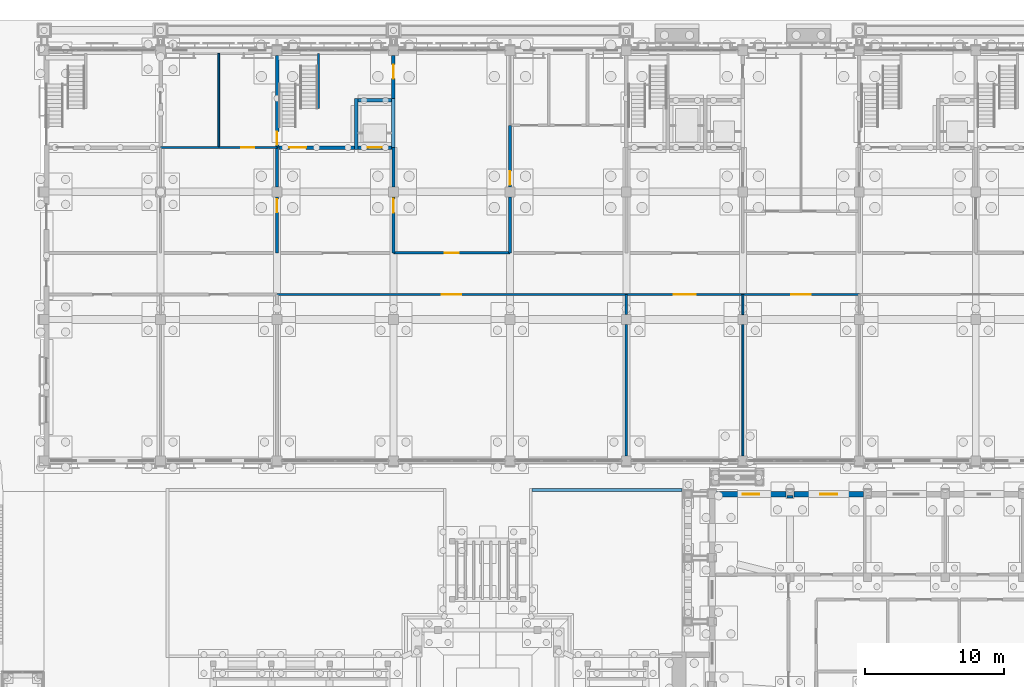
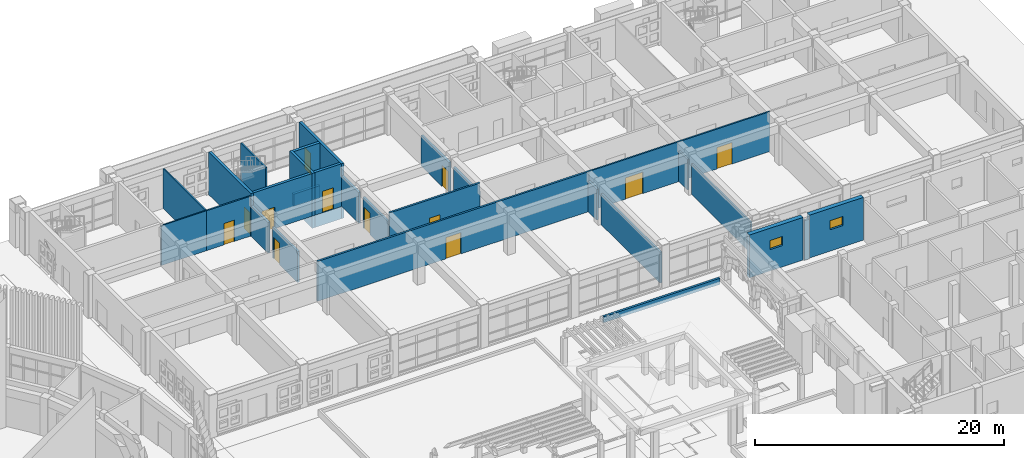
# One storey, part 72 of 112: 31 walls, 12 doors, 2 windows, 14 openings.
"""IFC4 building model written with IfcOpenShell, lengths in metres."""

from ifc_helpers import new_model, si_unit, direction, frame, frame_2d, origin, place, context, subcontext, project, spatial, rectangle, extrude, material, layer, layer_set, type_object, element, fill, save


model = new_model("IFC4")

# Units and contexts
model_context = context("Model", 3, precision=1e-05, world=origin(), true_north=direction((0.0, 1.0)))
body_context = subcontext(model_context, "Body", "Model", "MODEL_VIEW")
ifc_project = project(units=[si_unit("LENGTHUNIT", "METRE"), si_unit("AREAUNIT", "SQUARE_METRE"), si_unit("VOLUMEUNIT", "CUBIC_METRE"), si_unit("PLANEANGLEUNIT", "RADIAN"), si_unit("MASSUNIT", "GRAM", prefix="KILO")], contexts=[model_context])

# Site, building, storey
site_placement = place(None, origin())
site = spatial("IfcSite", under=ifc_project, at=site_placement, CompositionType="ELEMENT")
building_placement = place(site_placement, origin())
building = spatial("IfcBuilding", under=site, at=building_placement, Name="Wasatch Bagh Community Centre", CompositionType="ELEMENT")
storey_placement = place(building_placement, origin())
storey = spatial("IfcBuildingStorey", under=building, at=storey_placement, Name="L00", CompositionType="ELEMENT", Elevation=0.0)

# Wall, opening, door
ifc_material_1 = material(Name="Concrete C40", Category="concrete")
ifc_layer_1 = layer(ifc_material_1, 0.25)
ifc_layer_set_1 = layer_set([ifc_layer_1], Name="Concrete C40")
wall_type_1 = type_object("IfcWallType", Name="LW core wall 250", PredefinedType="SHEAR", material=ifc_layer_set_1)
wall_1_placement = place(storey_placement, frame((80.925048828125, 90.800048828125, 0.0), z_axis=(0.0, 0.0, 1.0), x_axis=(1.0, 0.0, 0.0)))
wall_1 = element("IfcWall", 1, at=wall_1_placement, inside=storey, type_object=wall_type_1, Name="LW.swall.L00.02", PredefinedType="SHEAR", context=body_context, shape_type="SweptSolid", body=[
    extrude(rectangle(XDim=5.449951171875, YDim=0.25, at=frame_2d((2.72509765625, 0.0))), origin(), (0.0, 0.0, 1.0), 4.199951171875),
])
opening_1_placement = place(wall_1_placement, frame((0.77490234375, 0.0, 0.0)))
opening_1 = element("IfcOpeningElement", 2, at=opening_1_placement, cuts=wall_1, Name="Opening 0L-46", PredefinedType="OPENING", context=body_context, shape_type="SweptSolid", body=[
    extrude(rectangle(XDim=1.199951171875, YDim=2.10009765625, at=frame_2d((0.60009765625, 1.050048828125))), frame((0.0, 0.135009765625, 0.0), z_axis=(0.0, -1.0, 0.0), x_axis=(1.0, 0.0, 0.0)), (0.0, 0.0, 1.0), 0.27001953125),
])
ifc_material_2 = material(Name="Painted timber", Category="wood")
door_type_1 = type_object("IfcDoorType", Name="LW stair door 1200x2100", OperationType="SINGLE_SWING_LEFT", PredefinedType="DOOR", material=ifc_material_2)
door_1_placement = place(opening_1_placement, origin())
door_1 = element("IfcDoor", 3, at=door_1_placement, inside=storey, type_object=door_type_1, Name="Stair door 0L-46", OperationType="SINGLE_SWING_RIGHT", OverallHeight=2.10009765625, OverallWidth=1.199951171875, PredefinedType="DOOR", context=body_context, shape_type="SweptSolid", body=[
    extrude(rectangle(XDim=1.199951171875, YDim=2.10009765625, at=frame_2d((0.60009765625, 1.050048828125))), frame((0.0, 0.02490234375, 0.0), z_axis=(0.0, -1.0, 0.0), x_axis=(1.0, 0.0, 0.0)), (0.0, 0.0, 1.0), 0.050048828125),
])
fill(opening_1, door_1)

wall_2_placement = place(storey_placement, frame((86.625, 90.800048828125, 0.0), z_axis=(0.0, 0.0, 1.0), x_axis=(1.0, 0.0, 0.0)))
wall_2 = element("IfcWall", 4, at=wall_2_placement, inside=storey, type_object=wall_type_1, Name="LW.swall.L00.03", PredefinedType="SHEAR", context=body_context, shape_type="SweptSolid", body=[
    extrude(rectangle(XDim=2.449951171875, YDim=0.25, at=frame_2d((1.22509765625, 0.0))), origin(), (0.0, 0.0, 1.0), 4.199951171875),
])
opening_2_placement = place(wall_2_placement, frame((0.72509765625, 0.0, 0.0)))
opening_2 = element("IfcOpeningElement", 5, at=opening_2_placement, cuts=wall_2, Name="Opening 0L-47", PredefinedType="OPENING", context=body_context, shape_type="SweptSolid", body=[
    extrude(rectangle(XDim=1.0, YDim=2.10009765625, at=frame_2d((0.5, 1.050048828125))), frame((0.0, 0.135009765625, 0.0), z_axis=(0.0, -1.0, 0.0), x_axis=(1.0, 0.0, 0.0)), (0.0, 0.0, 1.0), 0.27001953125),
])
ifc_material_3 = material(Name="Stainless steel landing door", Category="steel")
door_type_2 = type_object("IfcDoorType", Name="Lift landing door 1000 x 2100", OperationType="SLIDING_TO_LEFT", PredefinedType="DOOR", material=ifc_material_3)
door_2_placement = place(opening_2_placement, origin())
door_2 = element("IfcDoor", 6, at=door_2_placement, inside=storey, type_object=door_type_2, Name="Lift landing door LD 0L-47", OperationType="SLIDING_TO_LEFT", OverallHeight=2.10009765625, OverallWidth=1.0, PredefinedType="DOOR", context=body_context, shape_type="SweptSolid", body=[
    extrude(rectangle(XDim=1.0, YDim=2.10009765625, at=frame_2d((0.5, 1.050048828125))), frame((0.0, 0.02490234375, 0.0), z_axis=(0.0, -1.0, 0.0), x_axis=(1.0, 0.0, 0.0)), (0.0, 0.0, 1.0), 0.050048828125),
])
fill(opening_2, door_2)

# Wall
wall_3_placement = place(storey_placement, frame((86.625, 94.199951171875, 0.0), z_axis=(0.0, 0.0, 1.0), x_axis=(1.0, 0.0, 0.0)))
element("IfcWall", 7, at=wall_3_placement, inside=storey, type_object=wall_type_1, Name="LW.swall.L00.10", PredefinedType="SHEAR", context=body_context, shape_type="SweptSolid", body=[
    extrude(rectangle(XDim=2.449951171875, YDim=0.25, at=frame_2d((1.22509765625, 0.0))), origin(), (0.0, 0.0, 1.0), 4.199951171875),
])

# Wall, opening, door
wall_4_placement = place(storey_placement, frame((80.800048828125, 90.675048828125, 0.0), z_axis=(0.0, 0.0, 1.0), x_axis=(0.0, 1.0, 0.0)))
wall_4 = element("IfcWall", 8, at=wall_4_placement, inside=storey, type_object=wall_type_1, Name="LW.swall.L00.18", PredefinedType="SHEAR", context=body_context, shape_type="SweptSolid", body=[
    extrude(rectangle(XDim=6.77490234375, YDim=0.25, at=frame_2d((3.387451171875, 0.0))), origin(), (0.0, 0.0, 1.0), 4.199951171875),
])
opening_3_placement = place(wall_4_placement, frame((0.324951171875, 0.0, 0.0)))
opening_3 = element("IfcOpeningElement", 9, at=opening_3_placement, cuts=wall_4, Name="Opening 0L-23", PredefinedType="OPENING", context=body_context, shape_type="SweptSolid", body=[
    extrude(rectangle(XDim=0.949951171875, YDim=2.10009765625, at=frame_2d((0.47509765625, 1.050048828125))), frame((0.0, 0.135009765625, 0.0), z_axis=(0.0, -1.0, 0.0), x_axis=(1.0, 0.0, 0.0)), (0.0, 0.0, 1.0), 0.27001953125),
])
door_type_3 = type_object("IfcDoorType", Name="LW nursery door 950x2100", OperationType="SINGLE_SWING_LEFT", PredefinedType="DOOR", material=ifc_material_2)
door_3_placement = place(opening_3_placement, origin())
door_3 = element("IfcDoor", 10, at=door_3_placement, inside=storey, type_object=door_type_3, Name="Door Nursery Kitchen and Staff Room 0L-23", OperationType="SINGLE_SWING_LEFT", OverallHeight=2.10009765625, OverallWidth=0.949951171875, PredefinedType="DOOR", context=body_context, shape_type="SweptSolid", body=[
    extrude(rectangle(XDim=0.949951171875, YDim=2.10009765625, at=frame_2d((0.47509765625, 1.050048828125))), frame((0.0, 0.02490234375, 0.0), z_axis=(0.0, -1.0, 0.0), x_axis=(1.0, 0.0, 0.0)), (0.0, 0.0, 1.0), 0.050048828125),
])
fill(opening_3, door_3)

# Wall
wall_5_placement = place(storey_placement, frame((86.5, 90.675048828125, 0.0), z_axis=(0.0, 0.0, 1.0), x_axis=(0.0, 1.0, 0.0)))
element("IfcWall", 11, at=wall_5_placement, inside=storey, type_object=wall_type_1, Name="LW.swall.L00.19", PredefinedType="SHEAR", context=body_context, shape_type="SweptSolid", body=[
    extrude(rectangle(XDim=3.64990234375, YDim=0.25, at=frame_2d((1.824951171875, 0.0))), origin(), (0.0, 0.0, 1.0), 4.199951171875),
])

# Wall, opening, door
wall_6_placement = place(storey_placement, frame((89.199951171875, 90.675048828125, 0.0), z_axis=(0.0, 0.0, 1.0), x_axis=(0.0, 1.0, 0.0)))
wall_6 = element("IfcWall", 12, at=wall_6_placement, inside=storey, type_object=wall_type_1, Name="LW.swall.L00.20", PredefinedType="SHEAR", context=body_context, shape_type="SweptSolid", body=[
    extrude(rectangle(XDim=6.77490234375, YDim=0.25, at=frame_2d((3.387451171875, 0.0))), origin(), (0.0, 0.0, 1.0), 4.199951171875),
])
opening_4_placement = place(wall_6_placement, frame((5.10009765625, 0.0, 0.0)))
opening_4 = element("IfcOpeningElement", 13, at=opening_4_placement, cuts=wall_6, Name="Opening 0L-26", PredefinedType="OPENING", context=body_context, shape_type="SweptSolid", body=[
    extrude(rectangle(XDim=1.0, YDim=2.10009765625, at=frame_2d((0.5, 1.050048828125))), frame((0.0, 0.135009765625, 0.0), z_axis=(0.0, -1.0, 0.0), x_axis=(1.0, 0.0, 0.0)), (0.0, 0.0, 1.0), 0.27001953125),
])
door_type_4 = type_object("IfcDoorType", Name="LW door 1000x2100", OperationType="SINGLE_SWING_LEFT", PredefinedType="DOOR", material=ifc_material_2)
door_4_placement = place(opening_4_placement, origin())
door_4 = element("IfcDoor", 14, at=door_4_placement, inside=storey, type_object=door_type_4, Name="Door Children's Library 0L-26", OperationType="SINGLE_SWING_RIGHT", OverallHeight=2.10009765625, OverallWidth=1.0, PredefinedType="DOOR", context=body_context, shape_type="SweptSolid", body=[
    extrude(rectangle(XDim=1.0, YDim=2.10009765625, at=frame_2d((0.5, 1.050048828125))), frame((0.0, 0.02490234375, 0.0), z_axis=(0.0, -1.0, 0.0), x_axis=(1.0, 0.0, 0.0)), (0.0, 0.0, 1.0), 0.050048828125),
])
fill(opening_4, door_4)

ifc_material_4 = material(Name="Blockwork fire partition", Category="masonry")
ifc_layer_2 = layer(ifc_material_4, 0.199951171875)
ifc_layer_set_2 = layer_set([ifc_layer_2], Name="Blockwork fire partition")
wall_type_2 = type_object("IfcWallType", Name="LW fire partition 200", PredefinedType="PARTITIONING", material=ifc_layer_set_2)
wall_7_placement = place(storey_placement, frame((80.800048828125, 83.199951171875, 0.0), z_axis=(0.0, 0.0, 1.0), x_axis=(0.0, 1.0, 0.0)))
wall_7 = element("IfcWall", 15, at=wall_7_placement, inside=storey, type_object=wall_type_2, Name="LW.part.L00.020", PredefinedType="PARTITIONING", context=body_context, shape_type="SweptSolid", body=[
    extrude(rectangle(XDim=4.050048828125, YDim=0.199951171875, at=frame_2d((2.02490234375, 0.0))), origin(), (0.0, 0.0, 1.0), 3.02001953125),
])
opening_5_placement = place(wall_7_placement, frame((2.925048828125, 0.0, 0.0)))
opening_5 = element("IfcOpeningElement", 16, at=opening_5_placement, cuts=wall_7, Name="Opening 0L-20", PredefinedType="OPENING", context=body_context, shape_type="SweptSolid", body=[
    extrude(rectangle(XDim=0.949951171875, YDim=2.10009765625, at=frame_2d((0.47509765625, 1.050048828125))), frame((0.0, 0.10986328125, 0.0), z_axis=(0.0, -1.0, 0.0), x_axis=(1.0, 0.0, 0.0)), (0.0, 0.0, 1.0), 0.219970703125),
])
door_5_placement = place(opening_5_placement, origin())
door_5 = element("IfcDoor", 17, at=door_5_placement, inside=storey, type_object=door_type_3, Name="Door Nursery Sleep Room 0L-20", OperationType="SINGLE_SWING_RIGHT", OverallHeight=2.10009765625, OverallWidth=0.949951171875, PredefinedType="DOOR", context=body_context, shape_type="SweptSolid", body=[
    extrude(rectangle(XDim=0.949951171875, YDim=2.10009765625, at=frame_2d((0.47509765625, 1.050048828125))), frame((0.0, 0.02490234375, 0.0), z_axis=(0.0, -1.0, 0.0), x_axis=(1.0, 0.0, 0.0)), (0.0, 0.0, 1.0), 0.050048828125),
])
fill(opening_5, door_5)

# Wall
wall_8_placement = place(storey_placement, frame((80.800048828125, 87.949951171875, 0.0), z_axis=(0.0, 0.0, 1.0), x_axis=(0.0, 1.0, 0.0)))
element("IfcWall", 18, at=wall_8_placement, inside=storey, type_object=wall_type_2, Name="LW.part.L00.021", PredefinedType="PARTITIONING", context=body_context, shape_type="SweptSolid", body=[
    extrude(rectangle(XDim=2.85009765625, YDim=0.199951171875, at=frame_2d((1.425048828125, 0.0))), origin(), (0.0, 0.0, 1.0), 3.02001953125),
])

# Wall, opening, door
wall_9_placement = place(storey_placement, frame((89.199951171875, 83.199951171875, 0.0), z_axis=(0.0, 0.0, 1.0), x_axis=(0.0, 1.0, 0.0)))
wall_9 = element("IfcWall", 19, at=wall_9_placement, inside=storey, type_object=wall_type_2, Name="LW.part.L00.022", PredefinedType="PARTITIONING", context=body_context, shape_type="SweptSolid", body=[
    extrude(rectangle(XDim=4.050048828125, YDim=0.199951171875, at=frame_2d((2.02490234375, 0.0))), origin(), (0.0, 0.0, 1.0), 3.02001953125),
])
opening_6_placement = place(wall_9_placement, frame((2.89990234375, 0.0, 0.0)))
opening_6 = element("IfcOpeningElement", 20, at=opening_6_placement, cuts=wall_9, Name="Opening 0L-25", PredefinedType="OPENING", context=body_context, shape_type="SweptSolid", body=[
    extrude(rectangle(XDim=1.0, YDim=2.10009765625, at=frame_2d((0.5, 1.050048828125))), frame((0.0, 0.10986328125, 0.0), z_axis=(0.0, -1.0, 0.0), x_axis=(1.0, 0.0, 0.0)), (0.0, 0.0, 1.0), 0.219970703125),
])
door_6_placement = place(opening_6_placement, origin())
door_6 = element("IfcDoor", 21, at=door_6_placement, inside=storey, type_object=door_type_4, Name="Door Children's Library 0L-25", OperationType="SINGLE_SWING_LEFT", OverallHeight=2.10009765625, OverallWidth=1.0, PredefinedType="DOOR", context=body_context, shape_type="SweptSolid", body=[
    extrude(rectangle(XDim=1.0, YDim=2.10009765625, at=frame_2d((0.5, 1.050048828125))), frame((0.0, 0.02490234375, 0.0), z_axis=(0.0, -1.0, 0.0), x_axis=(1.0, 0.0, 0.0)), (0.0, 0.0, 1.0), 0.050048828125),
])
fill(opening_6, door_6)

# Walls
wall_10_placement = place(storey_placement, frame((89.199951171875, 87.949951171875, 0.0), z_axis=(0.0, 0.0, 1.0), x_axis=(0.0, 1.0, 0.0)))
element("IfcWall", 22, at=wall_10_placement, inside=storey, type_object=wall_type_2, Name="LW.part.L00.023", PredefinedType="PARTITIONING", context=body_context, shape_type="SweptSolid", body=[
    extrude(rectangle(XDim=2.85009765625, YDim=0.199951171875, at=frame_2d((1.425048828125, 0.0))), origin(), (0.0, 0.0, 1.0), 3.02001953125),
])
wall_11_placement = place(storey_placement, frame((97.60009765625, 83.199951171875, 0.0), z_axis=(0.0, 0.0, 1.0), x_axis=(0.0, 1.0, 0.0)))
element("IfcWall", 23, at=wall_11_placement, inside=storey, type_object=wall_type_2, Name="LW.part.L00.024", PredefinedType="PARTITIONING", context=body_context, shape_type="SweptSolid", body=[
    extrude(rectangle(XDim=4.050048828125, YDim=0.199951171875, at=frame_2d((2.02490234375, 0.0))), origin(), (0.0, 0.0, 1.0), 3.02001953125),
])

# Wall, opening, door
wall_12_placement = place(storey_placement, frame((97.60009765625, 87.949951171875, 0.0), z_axis=(0.0, 0.0, 1.0), x_axis=(0.0, 1.0, 0.0)))
wall_12 = element("IfcWall", 24, at=wall_12_placement, inside=storey, type_object=wall_type_2, Name="LW.part.L00.025", PredefinedType="PARTITIONING", context=body_context, shape_type="SweptSolid", body=[
    extrude(rectangle(XDim=4.449951171875, YDim=0.199951171875, at=frame_2d((2.22509765625, 0.0))), origin(), (0.0, 0.0, 1.0), 3.02001953125),
])
opening_7_placement = place(wall_12_placement, frame((0.14990234375, 0.0, 0.0)))
opening_7 = element("IfcOpeningElement", 25, at=opening_7_placement, cuts=wall_12, Name="Opening 0L-27", PredefinedType="OPENING", context=body_context, shape_type="SweptSolid", body=[
    extrude(rectangle(XDim=1.0, YDim=2.10009765625, at=frame_2d((0.5, 1.050048828125))), frame((0.0, 0.10986328125, 0.0), z_axis=(0.0, -1.0, 0.0), x_axis=(1.0, 0.0, 0.0)), (0.0, 0.0, 1.0), 0.219970703125),
])
door_7_placement = place(opening_7_placement, origin())
door_7 = element("IfcDoor", 26, at=door_7_placement, inside=storey, type_object=door_type_4, Name="Door Children's Library 0L-27", OperationType="SINGLE_SWING_LEFT", OverallHeight=2.10009765625, OverallWidth=1.0, PredefinedType="DOOR", context=body_context, shape_type="SweptSolid", body=[
    extrude(rectangle(XDim=1.0, YDim=2.10009765625, at=frame_2d((0.5, 1.050048828125))), frame((0.0, 0.02490234375, 0.0), z_axis=(0.0, -1.0, 0.0), x_axis=(1.0, 0.0, 0.0)), (0.0, 0.0, 1.0), 0.050048828125),
])
fill(opening_7, door_7)

ifc_material_5 = material(Name="Glazed tile on blockwork", Category="masonry")
ifc_layer_3 = layer(ifc_material_5, 0.1298828125)
ifc_layer_set_3 = layer_set([ifc_layer_3], Name="Glazed tile on blockwork")
wall_type_3 = type_object("IfcWallType", Name="LW kitchen partition 130", PredefinedType="PARTITIONING", material=ifc_layer_set_3)
wall_13_placement = place(storey_placement, frame((76.60009765625, 90.800048828125, 0.0), z_axis=(0.0, 0.0, 1.0), x_axis=(1.0, 0.0, 0.0)))
wall_13 = element("IfcWall", 27, at=wall_13_placement, inside=storey, type_object=wall_type_3, Name="LW.part.L00.010", PredefinedType="PARTITIONING", context=body_context, shape_type="SweptSolid", body=[
    extrude(rectangle(XDim=4.199951171875, YDim=0.1298828125, at=frame_2d((2.10009765625, 0.0))), origin(), (0.0, 0.0, 1.0), 3.919921875),
])
opening_8_placement = place(wall_13_placement, frame((1.625, 0.0, 0.0)))
opening_8 = element("IfcOpeningElement", 28, at=opening_8_placement, cuts=wall_13, Name="Opening 0L-22", PredefinedType="OPENING", context=body_context, shape_type="SweptSolid", body=[
    extrude(rectangle(XDim=0.949951171875, YDim=2.10009765625, at=frame_2d((0.47509765625, 1.050048828125))), frame((0.0, 0.074951171875, 0.0), z_axis=(0.0, -1.0, 0.0), x_axis=(1.0, 0.0, 0.0)), (0.0, 0.0, 1.0), 0.14990234375),
])
door_8_placement = place(opening_8_placement, origin())
door_8 = element("IfcDoor", 29, at=door_8_placement, inside=storey, type_object=door_type_3, Name="Door Nursery Kitchen and Staff Room 0L-22", OperationType="SINGLE_SWING_RIGHT", OverallHeight=2.10009765625, OverallWidth=0.949951171875, PredefinedType="DOOR", context=body_context, shape_type="SweptSolid", body=[
    extrude(rectangle(XDim=0.949951171875, YDim=2.10009765625, at=frame_2d((0.47509765625, 1.050048828125))), frame((0.0, 0.02490234375, 0.0), z_axis=(0.0, -1.0, 0.0), x_axis=(1.0, 0.0, 0.0)), (0.0, 0.0, 1.0), 0.050048828125),
])
fill(opening_8, door_8)

# Wall
wall_14_placement = place(storey_placement, frame((76.60009765625, 90.800048828125, 0.0), z_axis=(0.0, 0.0, 1.0), x_axis=(0.0, 1.0, 0.0)))
element("IfcWall", 30, at=wall_14_placement, inside=storey, type_object=wall_type_3, Name="LW.part.L00.017", PredefinedType="PARTITIONING", context=body_context, shape_type="SweptSolid", body=[
    extrude(rectangle(XDim=6.800048828125, YDim=0.1298828125, at=frame_2d((3.39990234375, 0.0))), origin(), (0.0, 0.0, 1.0), 3.919921875),
])

# Wall, opening, door
ifc_material_6 = material(Name="Dense blockwork acoustic partition", Category="masonry")
ifc_layer_4 = layer(ifc_material_6, 0.175048828125)
ifc_layer_set_4 = layer_set([ifc_layer_4], Name="Dense blockwork acoustic partition")
wall_type_4 = type_object("IfcWallType", Name="LW library partition 175", PredefinedType="PARTITIONING", material=ifc_layer_set_4)
wall_15_placement = place(storey_placement, frame((80.800048828125, 80.199951171875, 0.0), z_axis=(0.0, 0.0, 1.0), x_axis=(1.0, 0.0, 0.0)))
wall_15 = element("IfcWall", 31, at=wall_15_placement, inside=storey, type_object=wall_type_4, Name="LW.part.L00.002", PredefinedType="PARTITIONING", context=body_context, shape_type="SweptSolid", body=[
    extrude(rectangle(XDim=25.199951171875, YDim=0.175048828125, at=frame_2d((12.60009765625, 0.0))), origin(), (0.0, 0.0, 1.0), 3.919921875),
])
opening_9_placement = place(wall_15_placement, frame((11.89990234375, 0.0, 0.0)))
opening_9 = element("IfcOpeningElement", 32, at=opening_9_placement, cuts=wall_15, Name="Opening 0L-14", PredefinedType="OPENING", context=body_context, shape_type="SweptSolid", body=[
    extrude(rectangle(XDim=1.39990234375, YDim=2.10009765625, at=frame_2d((0.699951171875, 1.050048828125))), frame((0.0, 0.097412109375, 0.0), z_axis=(0.0, -1.0, 0.0), x_axis=(1.0, 0.0, 0.0)), (0.0, 0.0, 1.0), 0.195068359375),
])
door_type_5 = type_object("IfcDoorType", Name="LW youth room door pair 1400x2100", OperationType="DOUBLE_DOOR_SINGLE_SWING", PredefinedType="DOOR", material=ifc_material_2)
door_9_placement = place(opening_9_placement, origin())
door_9 = element("IfcDoor", 33, at=door_9_placement, inside=storey, type_object=door_type_5, Name="Door Library Reading Room 0L-14", OperationType="DOUBLE_DOOR_SINGLE_SWING", OverallHeight=2.10009765625, OverallWidth=1.39990234375, PredefinedType="DOOR", context=body_context, shape_type="SweptSolid", body=[
    extrude(rectangle(XDim=1.39990234375, YDim=2.10009765625, at=frame_2d((0.699951171875, 1.050048828125))), frame((0.0, 0.02490234375, 0.0), z_axis=(0.0, -1.0, 0.0), x_axis=(1.0, 0.0, 0.0)), (0.0, 0.0, 1.0), 0.050048828125),
])
fill(opening_9, door_9)

wall_16_placement = place(storey_placement, frame((89.199951171875, 83.199951171875, 0.0), z_axis=(0.0, 0.0, 1.0), x_axis=(1.0, 0.0, 0.0)))
wall_16 = element("IfcWall", 34, at=wall_16_placement, inside=storey, type_object=wall_type_4, Name="LW.part.L00.008", PredefinedType="PARTITIONING", context=body_context, shape_type="SweptSolid", body=[
    extrude(rectangle(XDim=8.400146484375, YDim=0.175048828125, at=frame_2d((4.2001953125, 0.0))), origin(), (0.0, 0.0, 1.0), 3.919921875),
])
opening_10_placement = place(wall_16_placement, frame((3.699951171875, 0.0, 0.0)))
opening_10 = element("IfcOpeningElement", 35, at=opening_10_placement, cuts=wall_16, Name="Opening 0L-24", PredefinedType="OPENING", context=body_context, shape_type="SweptSolid", body=[
    extrude(rectangle(XDim=1.0, YDim=2.10009765625, at=frame_2d((0.5, 1.050048828125))), frame((0.0, 0.097412109375, 0.0), z_axis=(0.0, -1.0, 0.0), x_axis=(1.0, 0.0, 0.0)), (0.0, 0.0, 1.0), 0.195068359375),
])
door_10_placement = place(opening_10_placement, origin())
door_10 = element("IfcDoor", 36, at=door_10_placement, inside=storey, type_object=door_type_4, Name="Door Children's Library 0L-24", OperationType="SINGLE_SWING_RIGHT", OverallHeight=2.10009765625, OverallWidth=1.0, PredefinedType="DOOR", context=body_context, shape_type="SweptSolid", body=[
    extrude(rectangle(XDim=1.0, YDim=2.10009765625, at=frame_2d((0.5, 1.050048828125))), frame((0.0, 0.02490234375, 0.0), z_axis=(0.0, -1.0, 0.0), x_axis=(1.0, 0.0, 0.0)), (0.0, 0.0, 1.0), 0.050048828125),
])
fill(opening_10, door_10)

# Walls
wall_17_placement = place(storey_placement, frame((106.0, 68.550048828125, 0.0), z_axis=(0.0, 0.0, 1.0), x_axis=(0.0, 1.0, 0.0)))
element("IfcWall", 37, at=wall_17_placement, inside=storey, type_object=wall_type_4, Name="LW.part.L00.031", PredefinedType="PARTITIONING", context=body_context, shape_type="SweptSolid", body=[
    extrude(rectangle(XDim=9.5, YDim=0.175048828125, at=frame_2d((4.75, 0.0))), origin(), (0.0, 0.0, 1.0), 3.02001953125),
])
wall_18_placement = place(storey_placement, frame((106.0, 78.75, 0.0), z_axis=(0.0, 0.0, 1.0), x_axis=(0.0, 1.0, 0.0)))
element("IfcWall", 38, at=wall_18_placement, inside=storey, type_object=wall_type_4, Name="LW.part.L00.032", PredefinedType="PARTITIONING", context=body_context, shape_type="SweptSolid", body=[
    extrude(rectangle(XDim=1.449951171875, YDim=0.175048828125, at=frame_2d((0.72509765625, 0.0))), origin(), (0.0, 0.0, 1.0), 3.02001953125),
])
ifc_material_7 = material(Name="Concrete C35", Category="concrete")
ifc_layer_5 = layer(ifc_material_7, 0.25)
ifc_layer_set_5 = layer_set([ifc_layer_5], Name="Concrete C35")
wall_type_5 = type_object("IfcWallType", Name="LW lift pit wall 250", PredefinedType="SOLIDWALL", material=ifc_layer_set_5)
for number, where, z_axis, x_axis, name in (
    (39, (86.625, 90.800048828125, -1.199951171875), (0.0, 0.0, 1.0), (1.0, 0.0, 0.0), "LW.pit.C1.wall1"),
    (40, (86.625, 94.199951171875, -1.199951171875), (0.0, 0.0, 1.0), (1.0, 0.0, 0.0), "LW.pit.C1.wall2"),
):
    element("IfcWall", number, at=place(storey_placement, frame(where, z_axis=z_axis, x_axis=x_axis)), inside=storey, type_object=wall_type_5, Name=name, PredefinedType="SOLIDWALL", context=body_context, shape_type="SweptSolid", body=[
        extrude(rectangle(XDim=2.449951171875, YDim=0.25, at=frame_2d((1.22509765625, 0.0))), origin(), (0.0, 0.0, 1.0), 1.199951171875),
    ])
for number, where, z_axis, x_axis, name in (
    (41, (86.5, 90.675048828125, -1.199951171875), (0.0, 0.0, 1.0), (0.0, 1.0, 0.0), "LW.pit.C1.wall3"),
    (42, (89.199951171875, 90.675048828125, -1.199951171875), (0.0, 0.0, 1.0), (0.0, 1.0, 0.0), "LW.pit.C1.wall4"),
):
    element("IfcWall", number, at=place(storey_placement, frame(where, z_axis=z_axis, x_axis=x_axis)), inside=storey, type_object=wall_type_5, Name=name, PredefinedType="SOLIDWALL", context=body_context, shape_type="SweptSolid", body=[
        extrude(rectangle(XDim=3.64990234375, YDim=0.25, at=frame_2d((1.824951171875, 0.0))), origin(), (0.0, 0.0, 1.0), 1.199951171875),
    ])
ifc_material_8 = material(Name="Plywood faced stud partition", Category="wood")
ifc_layer_6 = layer(ifc_material_8, 0.125)
ifc_layer_set_6 = layer_set([ifc_layer_6], Name="Plywood faced stud partition")
wall_type_6 = type_object("IfcWallType", Name="LW nursery partition 125", PredefinedType="PARTITIONING", material=ifc_layer_set_6)
wall_19_placement = place(storey_placement, frame((72.39990234375, 90.800048828125, 0.0), z_axis=(0.0, 0.0, 1.0), x_axis=(1.0, 0.0, 0.0)))
element("IfcWall", 43, at=wall_19_placement, inside=storey, type_object=wall_type_6, Name="LW.part.L00.011", PredefinedType="PARTITIONING", context=body_context, shape_type="SweptSolid", body=[
    extrude(rectangle(XDim=4.2001953125, YDim=0.125, at=frame_2d((2.10009765625, 0.0))), origin(), (0.0, 0.0, 1.0), 3.919921875),
])
ifc_material_9 = material(Name="Gypsum board on steel studs", Category="steel")
ifc_layer_7 = layer(ifc_material_9, 0.14990234375)
ifc_layer_set_7 = layer_set([ifc_layer_7], Name="Gypsum board on steel studs")
wall_type_7 = type_object("IfcWallType", Name="LW partition 150", PredefinedType="PARTITIONING", material=ifc_layer_set_7)
wall_20_placement = place(storey_placement, frame((83.800048828125, 93.60009765625, 0.0), z_axis=(0.0, 0.0, 1.0), x_axis=(0.0, 1.0, 0.0)))
element("IfcWall", 44, at=wall_20_placement, inside=storey, type_object=wall_type_7, Name="Stair compartment wall", PredefinedType="PARTITIONING", context=body_context, shape_type="SweptSolid", body=[
    extrude(rectangle(XDim=4.0, YDim=0.14990234375, at=frame_2d((2.0, 0.0))), origin(), (0.0, 0.0, 1.0), 3.919921875),
])

# Wall, openings, doors
ifc_material_10 = material(Name="Impact resistant board on steel studs", Category="steel")
ifc_layer_8 = layer(ifc_material_10, 0.139892578125)
ifc_layer_set_8 = layer_set([ifc_layer_8], Name="Impact resistant board on steel studs")
wall_type_8 = type_object("IfcWallType", Name="LW youth room partition 140", PredefinedType="PARTITIONING", material=ifc_layer_set_8)
wall_21_placement = place(storey_placement, frame((106.0, 80.199951171875, 0.0), z_axis=(0.0, 0.0, 1.0), x_axis=(1.0, 0.0, 0.0)))
wall_21 = element("IfcWall", 45, at=wall_21_placement, inside=storey, type_object=wall_type_8, Name="LW.part.L00.004", PredefinedType="PARTITIONING", context=body_context, shape_type="SweptSolid", body=[
    extrude(rectangle(XDim=16.800048828125, YDim=0.139892578125, at=frame_2d((8.39990234375, 0.0))), origin(), (0.0, 0.0, 1.0), 3.919921875),
])
opening_11_placement = place(wall_21_placement, frame((3.39990234375, 0.0, 0.0)))
opening_11 = element("IfcOpeningElement", 46, at=opening_11_placement, cuts=wall_21, Name="Opening 0L-15", PredefinedType="OPENING", context=body_context, shape_type="SweptSolid", body=[
    extrude(rectangle(XDim=1.60009765625, YDim=2.10009765625, at=frame_2d((0.800048828125, 1.050048828125))), frame((0.0, 0.079833984375, 0.0), z_axis=(0.0, -1.0, 0.0), x_axis=(1.0, 0.0, 0.0)), (0.0, 0.0, 1.0), 0.159912109375),
])
opening_12_placement = place(wall_21_placement, frame((11.89990234375, 0.0, 0.0)))
opening_12 = element("IfcOpeningElement", 47, at=opening_12_placement, cuts=wall_21, Name="Opening 0L-16", PredefinedType="OPENING", context=body_context, shape_type="SweptSolid", body=[
    extrude(rectangle(XDim=1.39990234375, YDim=2.10009765625, at=frame_2d((0.699951171875, 1.050048828125))), frame((0.0, 0.079833984375, 0.0), z_axis=(0.0, -1.0, 0.0), x_axis=(1.0, 0.0, 0.0)), (0.0, 0.0, 1.0), 0.159912109375),
])
door_type_6 = type_object("IfcDoorType", Name="LW computer lab door pair 1600x2100", OperationType="DOUBLE_DOOR_SINGLE_SWING", PredefinedType="DOOR", material=ifc_material_2)
door_11_placement = place(opening_11_placement, origin())
door_11 = element("IfcDoor", 48, at=door_11_placement, inside=storey, type_object=door_type_6, Name="Door Computer Lab 1 0L-15", OperationType="DOUBLE_DOOR_SINGLE_SWING", OverallHeight=2.10009765625, OverallWidth=1.60009765625, PredefinedType="DOOR", context=body_context, shape_type="SweptSolid", body=[
    extrude(rectangle(XDim=1.60009765625, YDim=2.10009765625, at=frame_2d((0.800048828125, 1.050048828125))), frame((0.0, 0.02490234375, 0.0), z_axis=(0.0, -1.0, 0.0), x_axis=(1.0, 0.0, 0.0)), (0.0, 0.0, 1.0), 0.050048828125),
])
fill(opening_11, door_11)
door_12_placement = place(opening_12_placement, origin())
door_12 = element("IfcDoor", 49, at=door_12_placement, inside=storey, type_object=door_type_5, Name="Door Youth Room 1 0L-16", OperationType="DOUBLE_DOOR_SINGLE_SWING", OverallHeight=2.10009765625, OverallWidth=1.39990234375, PredefinedType="DOOR", context=body_context, shape_type="SweptSolid", body=[
    extrude(rectangle(XDim=1.39990234375, YDim=2.10009765625, at=frame_2d((0.699951171875, 1.050048828125))), frame((0.0, 0.02490234375, 0.0), z_axis=(0.0, -1.0, 0.0), x_axis=(1.0, 0.0, 0.0)), (0.0, 0.0, 1.0), 0.050048828125),
])
fill(opening_12, door_12)

# Walls
wall_22_placement = place(storey_placement, frame((114.39990234375, 68.550048828125, 0.0), z_axis=(0.0, 0.0, 1.0), x_axis=(0.0, 1.0, 0.0)))
element("IfcWall", 50, at=wall_22_placement, inside=storey, type_object=wall_type_8, Name="LW.part.L00.035", PredefinedType="PARTITIONING", context=body_context, shape_type="SweptSolid", body=[
    extrude(rectangle(XDim=9.5, YDim=0.139892578125, at=frame_2d((4.75, 0.0))), origin(), (0.0, 0.0, 1.0), 3.02001953125),
])
wall_23_placement = place(storey_placement, frame((114.39990234375, 78.75, 0.0), z_axis=(0.0, 0.0, 1.0), x_axis=(0.0, 1.0, 0.0)))
element("IfcWall", 51, at=wall_23_placement, inside=storey, type_object=wall_type_8, Name="LW.part.L00.036", PredefinedType="PARTITIONING", context=body_context, shape_type="SweptSolid", body=[
    extrude(rectangle(XDim=1.449951171875, YDim=0.139892578125, at=frame_2d((0.72509765625, 0.0))), origin(), (0.0, 0.0, 1.0), 3.02001953125),
])

# Wall, opening, window
ifc_layer_9 = layer(ifc_material_1, 0.39990234375)
ifc_layer_set_9 = layer_set([ifc_layer_9], Name="Concrete C40")
wall_type_9 = type_object("IfcWallType", Name="SH RC WALL 400 solidwall", PredefinedType="SOLIDWALL", material=ifc_layer_set_9)
wall_24_placement = place(storey_placement, frame((112.5, 65.800048828125, 0.0), z_axis=(0.0, 0.0, 1.0), x_axis=(1.0, 0.0, 0.0)))
wall_24 = element("IfcWall", 52, at=wall_24_placement, inside=storey, type_object=wall_type_9, Name="SH.wall.L00.07", PredefinedType="SOLIDWALL", context=body_context, shape_type="SweptSolid", body=[
    extrude(rectangle(XDim=5.0, YDim=0.39990234375, at=frame_2d((2.5, 0.0))), origin(), (0.0, 0.0, 1.0), 4.199951171875),
])
opening_13_placement = place(wall_24_placement, frame((1.89990234375, 0.0, 2.10009765625)))
opening_13 = element("IfcOpeningElement", 53, at=opening_13_placement, cuts=wall_24, Name="Opening 0S-W01", PredefinedType="OPENING", context=body_context, shape_type="SweptSolid", body=[
    extrude(rectangle(XDim=1.199951171875, YDim=0.89990234375, at=frame_2d((0.60009765625, 0.449951171875))), frame((0.0, 0.2099609375, 0.0), z_axis=(0.0, -1.0, 0.0), x_axis=(1.0, 0.0, 0.0)), (0.0, 0.0, 1.0), 0.419921875),
])
ifc_material_11 = material(Name="Aluminium frame with double glazing", Category="aluminium")
window_type = type_object("IfcWindowType", Name="SH window 1200x900", PartitioningType="SINGLE_PANEL", PredefinedType="WINDOW", material=ifc_material_11)
window_1_placement = place(opening_13_placement, origin())
window_1 = element("IfcWindow", 54, at=window_1_placement, inside=storey, type_object=window_type, Name="SH.window.L00.0S-W01", OverallHeight=0.89990234375, OverallWidth=1.199951171875, PartitioningType="SINGLE_PANEL", PredefinedType="WINDOW", context=body_context, shape_type="SweptSolid", body=[
    extrude(rectangle(XDim=1.199951171875, YDim=0.89990234375, at=frame_2d((0.60009765625, 0.449951171875))), frame((0.0, 0.030029296875, 0.0), z_axis=(0.0, -1.0, 0.0), x_axis=(1.0, 0.0, 0.0)), (0.0, 0.0, 1.0), 0.06005859375),
])
fill(opening_13, window_1)

wall_25_placement = place(storey_placement, frame((118.10009765625, 65.800048828125, 0.0), z_axis=(0.0, 0.0, 1.0), x_axis=(1.0, 0.0, 0.0)))
wall_25 = element("IfcWall", 55, at=wall_25_placement, inside=storey, type_object=wall_type_9, Name="SH.wall.L00.08", PredefinedType="SOLIDWALL", context=body_context, shape_type="SweptSolid", body=[
    extrude(rectangle(XDim=5.0, YDim=0.39990234375, at=frame_2d((2.5, 0.0))), origin(), (0.0, 0.0, 1.0), 4.199951171875),
])
opening_14_placement = place(wall_25_placement, frame((1.89990234375, 0.0, 2.10009765625)))
opening_14 = element("IfcOpeningElement", 56, at=opening_14_placement, cuts=wall_25, Name="Opening 0S-W02", PredefinedType="OPENING", context=body_context, shape_type="SweptSolid", body=[
    extrude(rectangle(XDim=1.199951171875, YDim=0.89990234375, at=frame_2d((0.60009765625, 0.449951171875))), frame((0.0, 0.2099609375, 0.0), z_axis=(0.0, -1.0, 0.0), x_axis=(1.0, 0.0, 0.0)), (0.0, 0.0, 1.0), 0.419921875),
])
window_2_placement = place(opening_14_placement, origin())
window_2 = element("IfcWindow", 57, at=window_2_placement, inside=storey, type_object=window_type, Name="SH.window.L00.0S-W02", OverallHeight=0.89990234375, OverallWidth=1.199951171875, PartitioningType="SINGLE_PANEL", PredefinedType="WINDOW", context=body_context, shape_type="SweptSolid", body=[
    extrude(rectangle(XDim=1.199951171875, YDim=0.89990234375, at=frame_2d((0.60009765625, 0.449951171875))), frame((0.0, 0.030029296875, 0.0), z_axis=(0.0, -1.0, 0.0), x_axis=(1.0, 0.0, 0.0)), (0.0, 0.0, 1.0), 0.06005859375),
])
fill(opening_14, window_2)

# Walls
ifc_material_12 = material(Name="Hollow block masonry, medium weight (ASTM Grade N)", Category="masonry")
ifc_layer_10 = layer(ifc_material_12, 0.18994140625)
ifc_layer_set_10 = layer_set([ifc_layer_10], Name="Hollow block masonry, medium weight (ASTM Grade N)")
wall_type_10 = type_object("IfcWallType", Name="SH partition 190", PredefinedType="PARTITIONING", material=ifc_layer_set_10)
wall_26_placement = place(storey_placement, frame((118.02001953125, 65.60009765625, 0.0), z_axis=(0.0, 0.0, 1.0), x_axis=(-1.0, 0.0, 0.0)))
element("IfcWall", 58, at=wall_26_placement, inside=storey, type_object=wall_type_10, Name="SH.part.L00.011", PredefinedType="PARTITIONING", context=body_context, shape_type="SweptSolid", body=[
    extrude(rectangle(XDim=0.43994140625, YDim=0.18994140625, at=frame_2d((0.219970703125, 0.0))), origin(), (0.0, 0.0, 1.0), 3.89990234375),
])
ifc_material_13 = material(Name="Concrete C30", Category="concrete")
ifc_layer_11 = layer(ifc_material_13, 0.199951171875)
ifc_layer_set_11 = layer_set([ifc_layer_11], Name="Concrete C30")
wall_type_11 = type_object("IfcWallType", Name="SITE-K1", PredefinedType="SOLIDWALL", material=ifc_layer_set_11)
wall_27_placement = place(storey_placement, frame((99.199951171875, 66.10009765625, 0.0), z_axis=(0.0, 0.0, 1.0), x_axis=(1.0, 0.0, 0.0)))
element("IfcWall", 59, at=wall_27_placement, inside=storey, type_object=wall_type_11, Name="Raised bed kerb - Garden quadrant NE", PredefinedType="SOLIDWALL", context=body_context, shape_type="SweptSolid", body=[
    extrude(rectangle(XDim=10.800048828125, YDim=0.199951171875, at=frame_2d((5.39990234375, 0.0))), origin(), (0.0, 0.0, 1.0), 0.60009765625),
])

save(model, "model.ifc")
